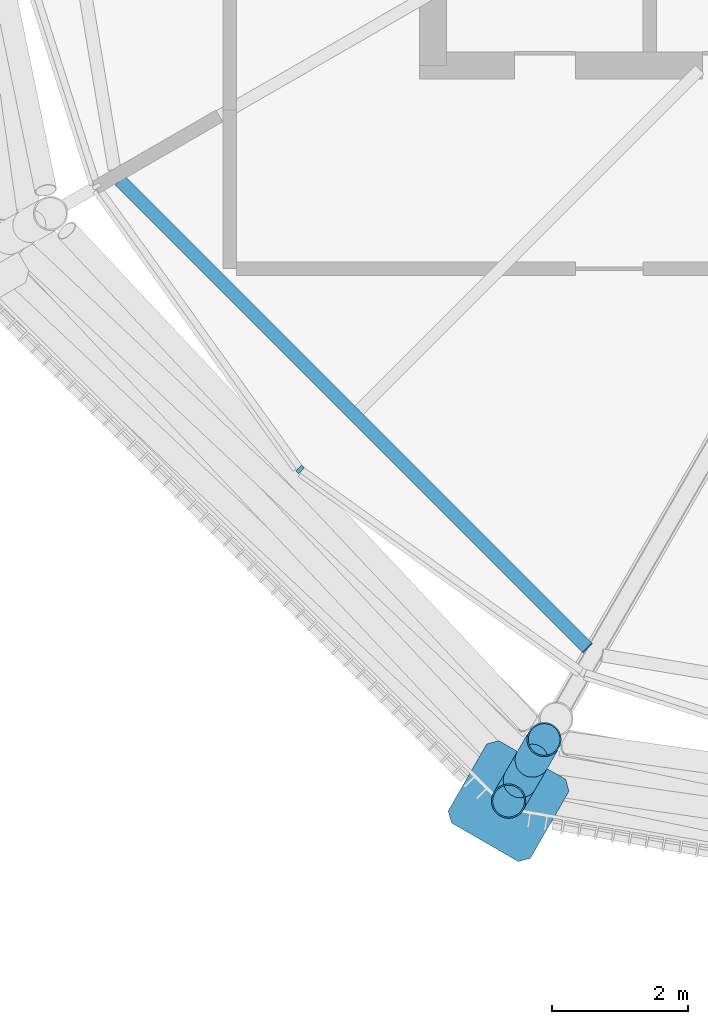
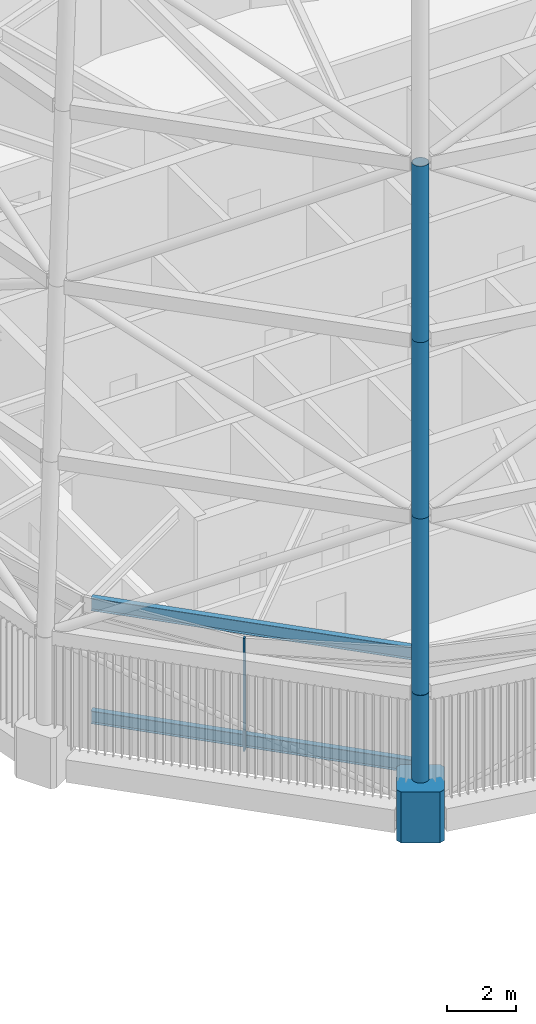
# One storey, part 36 of 71: 6 members, 2 beams, 1 element without a shape of its own.
"""IFC4 building model written with IfcOpenShell, lengths in metres."""

import ifcopenshell
import ifcopenshell.guid

model = None  # the IFC model being written
_history = None  # IfcOwnerHistory: only IFC2X3 demands one
_inside = {}  # id of a spatial element -> (the spatial element, [elements in it])
_under = {}  # id of a project, library or spatial element -> (it, [spatial elements below it])
_declared = {}  # id of a project -> (the project, [libraries it declares])
_typed = {}  # id of a type object -> (the type object, [elements of that type])
_made_of = {}  # id of a material, layer set ... -> (it, [elements and type objects made of it])


def new_model(schema):
    """Start an empty IFC model of exactly this schema.

    Asked for "IFC4X3", IfcOpenShell would pick the latest addendum, in which some entities
    have other attributes; the version numbers below select the first issue.
    IFC2X3 requires an IfcOwnerHistory on every rooted entity: one is made here for all.
    """
    global model, _history
    if schema == "IFC4X3":
        model = ifcopenshell.file(schema_version=(4, 3, 0, 0))
    else:
        model = ifcopenshell.file(schema=schema)
    _inside.clear()
    _under.clear()
    _declared.clear()
    _typed.clear()
    _made_of.clear()
    _history = None
    if model.schema == "IFC2X3":
        org = make("IfcOrganization", Name="unknown")
        user = make(
            "IfcPersonAndOrganization",
            ThePerson=make("IfcPerson", FamilyName="unknown"),
            TheOrganization=org,
        )
        app = make(
            "IfcApplication",
            ApplicationDeveloper=org,
            Version="unknown",
            ApplicationFullName="unknown",
            ApplicationIdentifier="unknown",
        )
        _history = make(
            "IfcOwnerHistory",
            OwningUser=user,
            OwningApplication=app,
            ChangeAction="ADDED",
            CreationDate=0,
        )
    return model


def make(cls, **values):
    """One entity of the class cls with the attributes given. An attribute that is None is left unset."""
    return model.create_entity(
        cls, **{name: value for name, value in values.items() if value is not None}
    )


def rooted(cls, **values):
    """An entity with a GlobalId (a new one), such as an element, a storey or a relation."""
    return make(cls, GlobalId=ifcopenshell.guid.new(), OwnerHistory=_history, **values)


def si_unit(unit_type, name, prefix=None):
    """IfcSIUnit, for example si_unit("LENGTHUNIT", "METRE", prefix="MILLI")."""
    return make("IfcSIUnit", UnitType=unit_type, Prefix=prefix, Name=name)


def assignment(units):
    """IfcUnitAssignment: the units of a project."""
    return None if units is None else make("IfcUnitAssignment", Units=units)


def point(xyz):
    """IfcCartesianPoint."""
    return None if xyz is None else make("IfcCartesianPoint", Coordinates=xyz)


def direction(xyz):
    """IfcDirection."""
    return None if xyz is None else make("IfcDirection", DirectionRatios=xyz)


def frame(location, z_axis=None, x_axis=None):
    """IfcAxis2Placement3D, a coordinate frame: its origin and axes. An axis left out is left unset."""
    return make(
        "IfcAxis2Placement3D",
        Location=point(location),
        Axis=direction(z_axis),
        RefDirection=direction(x_axis),
    )


def frame_2d(location, x_axis=None):
    """IfcAxis2Placement2D, a coordinate frame in the plane: its origin and x axis."""
    return make(
        "IfcAxis2Placement2D", Location=point(location), RefDirection=direction(x_axis)
    )


def origin():
    """The frame at (0, 0, 0) with its axes left unset."""
    return frame((0.0, 0.0, 0.0))


def origin_2d():
    """The frame at (0, 0) in the plane with its x axis left unset."""
    return frame_2d((0.0, 0.0))


def place(relative_to, where):
    """IfcLocalPlacement: puts the frame where relative to a parent placement (None: the world)."""
    return make(
        "IfcLocalPlacement", PlacementRelTo=relative_to, RelativePlacement=where
    )


def context(
    kind, dimensions, precision=None, world=None, true_north=None, identifier=None
):
    """IfcGeometricRepresentationContext, for example the 3D "Model" context."""
    return make(
        "IfcGeometricRepresentationContext",
        ContextIdentifier=identifier,
        ContextType=kind,
        CoordinateSpaceDimension=dimensions,
        Precision=precision,
        WorldCoordinateSystem=world,
        TrueNorth=true_north,
    )


def subcontext(parent, identifier, kind, view, scale=None):
    """IfcGeometricRepresentationSubContext, for example "Body" below "Model"."""
    return make(
        "IfcGeometricRepresentationSubContext",
        ContextIdentifier=identifier,
        ContextType=kind,
        ParentContext=parent,
        TargetScale=scale,
        TargetView=view,
    )


def project(units=None, contexts=None):
    """IfcProject with its units and contexts."""
    return rooted(
        "IfcProject",
        Name="project",
        RepresentationContexts=contexts,
        UnitsInContext=assignment(units),
    )


def spatial(cls, under=None, at=None, **own):
    """A site, building, storey or space (cls), placed at a placement, below another one or the project."""
    s = rooted(cls, ObjectPlacement=at, **own)
    if under is not None:
        _under.setdefault(under.id(), (under, []))[1].append(s)
    return s


def polyline(points):
    """IfcPolyline through the points."""
    return make("IfcPolyline", Points=[point(p) for p in points])


def profile(cls, at=None, kind="AREA", **sizes):
    """A parametric profile (cls). Its sizes go by their IFC names, for example OverallWidth=200.0."""
    return make(cls, ProfileType=kind, Position=at, **sizes)


def rectangle(**sizes):
    """IfcRectangleProfileDef."""
    return profile("IfcRectangleProfileDef", **sizes)


def hollow_circle(**sizes):
    """IfcCircleHollowProfileDef."""
    return profile("IfcCircleHollowProfileDef", **sizes)


def i_section(**sizes):
    """IfcIShapeProfileDef."""
    return profile("IfcIShapeProfileDef", **sizes)


def outline(outer, holes=None, kind="AREA"):
    """IfcArbitraryClosedProfileDef: a profile drawn as a closed curve; with holes, ...WithVoids."""
    if holes is None:
        return make("IfcArbitraryClosedProfileDef", ProfileType=kind, OuterCurve=outer)
    return make(
        "IfcArbitraryProfileDefWithVoids",
        ProfileType=kind,
        OuterCurve=outer,
        InnerCurves=holes,
    )


def extrude(swept, where, along, depth):
    """IfcExtrudedAreaSolid: the profile swept, set in the frame where, extruded along a direction by depth."""
    return make(
        "IfcExtrudedAreaSolid",
        SweptArea=swept,
        Position=where,
        ExtrudedDirection=direction(along),
        Depth=depth,
    )


def shape(context_of_items, identifier, shape_type, items):
    """IfcShapeRepresentation: the items that make up one representation, for example the "Body"."""
    return make(
        "IfcShapeRepresentation",
        ContextOfItems=context_of_items,
        RepresentationIdentifier=identifier,
        RepresentationType=shape_type,
        Items=items,
    )


def material(Name=None, Category=None):
    """IfcMaterial."""
    return make("IfcMaterial", Name=Name, Category=Category)


def material_profile(
    of_material, cross_section, Name=None, Category=None, Priority=None
):
    """IfcMaterialProfile: a cross section and its material."""
    return make(
        "IfcMaterialProfile",
        Name=Name,
        Material=of_material,
        Profile=cross_section,
        Priority=Priority,
        Category=Category,
    )


def profile_set(profiles, Name=None, composite=None):
    """IfcMaterialProfileSet."""
    return make(
        "IfcMaterialProfileSet",
        Name=Name,
        MaterialProfiles=profiles,
        CompositeProfile=composite,
    )


def made_of(thing, what):
    """Note that an element or type object is made of a material, layer set ...; save() writes the relation."""
    if what is not None:
        _made_of.setdefault(what.id(), (what, []))[1].append(thing)
    return thing


def type_object(cls, material=None, **own):
    """A type object (cls), such as IfcWallType, which elements share."""
    return made_of(rooted(cls, **own), material)


def element(
    cls,
    number,
    at=None,
    inside=None,
    cuts=None,
    type_object=None,
    material=None,
    context=None,
    identifier="Body",
    shape_type=None,
    held_by="IfcProductDefinitionShape",
    body=None,
    shapes=None,
    **own,
):
    """One element of the class cls, such as IfcWall. Its Tag is "e" and its number.

    at: its placement. inside: the storey or other place that contains it. cuts: it is an
    opening in that element (IfcRelVoidsElement). A single representation is given by context,
    identifier, shape_type and body (its items); several are given by shapes. held_by: the class
    of the entity that holds the representations. save() writes the other relations.
    """
    e = rooted(cls, Tag="e%d" % number, ObjectPlacement=at, **own)
    if body is not None:
        shapes = [shape(context, identifier, shape_type, body)]
    if shapes is not None:
        e.Representation = make(held_by, Representations=shapes)
    if inside is not None:
        _inside.setdefault(inside.id(), (inside, []))[1].append(e)
    if cuts is not None:
        rooted(
            "IfcRelVoidsElement", RelatingBuildingElement=cuts, RelatedOpeningElement=e
        )
    if type_object is not None:
        _typed.setdefault(type_object.id(), (type_object, []))[1].append(e)
    return made_of(e, material)


def aggregate(whole, parts):
    """IfcRelAggregates: a whole, such as a stair, and the parts it consists of."""
    return rooted("IfcRelAggregates", RelatingObject=whole, RelatedObjects=parts)


def save(model, path):
    """Write the relations noted so far, then the file.

    IfcRelAggregates (storeys below a building ...), IfcRelContainedInSpatialStructure (elements
    in a storey), IfcRelDefinesByType, IfcRelAssociatesMaterial and IfcRelDeclares: one each for
    every whole, place, type object, material and project.
    """
    for whole, parts in _under.values():
        aggregate(whole, parts)
    for where, things in _inside.values():
        rooted(
            "IfcRelContainedInSpatialStructure",
            RelatedElements=things,
            RelatingStructure=where,
        )
    for kind, things in _typed.values():
        rooted("IfcRelDefinesByType", RelatedObjects=things, RelatingType=kind)
    for what, things in _made_of.values():
        rooted("IfcRelAssociatesMaterial", RelatedObjects=things, RelatingMaterial=what)
    for by, libraries in _declared.values():
        rooted("IfcRelDeclares", RelatingContext=by, RelatedDefinitions=libraries)
    model.write(path)


model = new_model("IFC4")

# Units and contexts
model_context = context("Model", 3, precision=1e-05, world=origin(), true_north=direction((0.0, 1.0)))
body_context = subcontext(model_context, "Body", "Model", "MODEL_VIEW")
ifc_project = project(units=[si_unit("LENGTHUNIT", "METRE"), si_unit("AREAUNIT", "SQUARE_METRE"), si_unit("VOLUMEUNIT", "CUBIC_METRE"), si_unit("PLANEANGLEUNIT", "RADIAN"), si_unit("MASSUNIT", "GRAM", prefix="KILO")], contexts=[model_context])

# Site, building, storey
site_placement = place(None, origin())
site = spatial("IfcSite", under=ifc_project, at=site_placement, CompositionType="ELEMENT")
building_placement = place(site_placement, origin())
building = spatial("IfcBuilding", under=site, at=building_placement, Name="Rimbun Link Towers", CompositionType="ELEMENT")
storey_placement = place(building_placement, frame((0.0, 0.0, 267.60009765625)))
storey = spatial("IfcBuildingStorey", under=building, at=storey_placement, Name="L65", CompositionType="ELEMENT", Elevation=267.60009765625)

# Curtain wall, member
ifc_material_1 = material(Name="Aluminium 6063-T6 louvre wall", Category="aluminium")
curtain_wall_type = type_object("IfcCurtainWallType", Name="CW6 plant floor louvre wall", PredefinedType="NOTDEFINED", material=ifc_material_1)
curtain_wall_placement = place(storey_placement, origin())
curtain_wall = element("IfcCurtainWall", 1, at=curtain_wall_placement, inside=storey, type_object=curtain_wall_type, Name="CW6 L65 T2", PredefinedType="NOTDEFINED")
ifc_material_2 = material(Name="Aluminium 6063-T6", Category="aluminium")
ifc_material_profile_1 = material_profile(ifc_material_2, rectangle(XDim=0.1201171875, YDim=0.06005859375, at=origin_2d()), Name="MULLION 60X120")
ifc_profile_set_1 = profile_set([ifc_material_profile_1], Name="Aluminium 6063-T6")
member_type_1 = type_object("IfcMemberType", Name="CW6 mullion 60X120", PredefinedType="MULLION", material=ifc_profile_set_1)
member_1_placement = place(storey_placement, frame((17.78857421875, -13.96142578125, 0.0), z_axis=(0.0, 0.0, 1.0), x_axis=(-0.707106781187, -0.707106781187, 0.0)))
member_1 = element("IfcMember", 2, at=member_1_placement, type_object=member_type_1, Name="CW6 mullion", PredefinedType="MULLION", context=body_context, shape_type="SweptSolid", body=[
    extrude(rectangle(XDim=0.1201171875, YDim=0.06005859375, at=origin_2d()), origin(), (0.0, 0.0, 1.0), 4.0),
])
aggregate(curtain_wall, [member_1])

# Members
ifc_material_3 = material(Name="Steel S355J2H", Category="steel")
ifc_material_profile_2 = material_profile(ifc_material_3, hollow_circle(Radius=0.25390625, WallThickness=0.02001953125, at=origin_2d()), Name="Crown frame post CHS 508x20")
ifc_profile_set_2 = profile_set([ifc_material_profile_2], Name="Steel S355J2H")
member_type_2 = type_object("IfcMemberType", Name="Crown frame post CHS 508x20", PredefinedType="POST", material=ifc_profile_set_2)
member_2_placement = place(storey_placement, frame((20.865478515625, -18.852294921875, 0.0), z_axis=(0.0, 0.0, 1.0), x_axis=(1.0, 0.0, 0.0)))
element("IfcMember", 3, at=member_2_placement, inside=storey, type_object=member_type_2, Name="CROWN FRAME post T2 1-06", PredefinedType="POST", context=body_context, shape_type="SweptSolid", body=[
    extrude(hollow_circle(Radius=0.25390625, WallThickness=0.02001953125, at=origin_2d()), origin(), (0.0, 0.0, 1.0), 4.0),
])
for number, where, z_axis, x_axis, name in (
    (4, (20.865478515625, -18.852294921875, 4.0), (0.029125318286, 0.050410767075, 0.998303796646), (-0.865871789474, 0.500265973451, 0.0), "CROWN FRAME post T2 2-06"),
    (5, (21.04052734375, -18.54931640625, 10.0), (0.029125258621, 0.050451284808, 0.998301751562), (-0.866046247233, 0.49996389635, 0.0), "CROWN FRAME post T2 3-06"),
    (6, (21.215576171875, -18.24609375, 16.0), (0.029125318286, 0.050410767075, 0.998303796646), (-0.865871789474, 0.500265973451, 0.0), "CROWN FRAME post T2 4-06"),
):
    element("IfcMember", number, at=place(storey_placement, frame(where, z_axis=z_axis, x_axis=x_axis)), inside=storey, type_object=member_type_2, Name=name, PredefinedType="POST", context=body_context, shape_type="SweptSolid", body=[
        extrude(hollow_circle(Radius=0.25390625, WallThickness=0.02001953125, at=origin_2d()), origin(), (0.0, 0.0, 1.0), 6.01025390625),
    ])
ifc_material_4 = material(Name="Cast steel G20Mn5+QT, Rp0.2 300 MPa", Category="steel")
ifc_material_profile_3 = material_profile(ifc_material_4, outline(polyline([(0.699951171875, -0.570068359375), (0.699951171875, 0.570068359375), (0.570068359375, 0.699951171875), (-0.570068359375, 0.699951171875), (-0.699951171875, 0.570068359375), (-0.699951171875, -0.570068359375), (-0.570068359375, -0.699951171875), (0.570068359375, -0.699951171875), (0.699951171875, -0.570068359375)])), Name="NODE 1400x1400")
ifc_profile_set_3 = profile_set([ifc_material_profile_3], Name="Cast steel G20Mn5+QT, Rp0.2 300 MPa")
member_type_3 = type_object("IfcMemberType", Name="Diagrid node cast 1400", PredefinedType="USERDEFINED", material=ifc_profile_set_3)
member_3_placement = place(storey_placement, frame((20.865478515625, -18.852294921875, -0.900146484375), z_axis=(0.0, 0.0, 1.0), x_axis=(-0.5, -0.866025403784, 0.0)))
element("IfcMember", 7, at=member_3_placement, inside=storey, type_object=member_type_3, Name="Diagrid node L65 13", ObjectType="Diagrid node", PredefinedType="USERDEFINED", context=body_context, shape_type="SweptSolid", body=[
    extrude(outline(polyline([(0.699951171875, -0.570068359375), (0.699951171875, 0.570068359375), (0.570068359375, 0.699951171875), (-0.570068359375, 0.699951171875), (-0.699951171875, 0.570068359375), (-0.699951171875, -0.570068359375), (-0.570068359375, -0.699951171875), (0.570068359375, -0.699951171875), (0.699951171875, -0.570068359375)])), origin(), (0.0, 0.0, 1.0), 1.800048828125),
])

# Beams
ifc_material_5 = material(Name="Steel S355J2", Category="steel")
ifc_material_profile_4 = material_profile(ifc_material_5, i_section(OverallWidth=0.18994140625, OverallDepth=0.453369140625, WebThickness=0.008544921875, FlangeThickness=0.0126953125, at=origin_2d()), Name="UB 457x191x67")
ifc_profile_set_4 = profile_set([ifc_material_profile_4], Name="Steel S355J2")
beam_type = type_object("IfcBeamType", Name="UB 457x191x67", PredefinedType="BEAM", material=ifc_profile_set_4)
beam_1_placement = place(storey_placement, frame((15.1337890625, -9.697265625, -0.4267578125), z_axis=(0.707094272775, -0.707119289377, 0.0), x_axis=(0.707119289377, 0.707094272775, 0.0)))
element("IfcBeam", 8, at=beam_1_placement, inside=storey, type_object=beam_type, Name="Edge beam T2 L65 11-13", PredefinedType="BEAM", context=body_context, shape_type="SweptSolid", body=[
    extrude(i_section(OverallWidth=0.18994140625, OverallDepth=0.453369140625, WebThickness=0.008544921875, FlangeThickness=0.0126953125, at=origin_2d()), origin(), (0.0, 0.0, 1.0), 9.759033203125),
])
beam_2_placement = place(storey_placement, frame((15.1337890625, -9.697265625, 3.5732421875), z_axis=(0.707094255492, -0.707119306659, 0.0), x_axis=(0.707119306659, 0.707094255492, 0.0)))
element("IfcBeam", 9, at=beam_2_placement, inside=storey, type_object=beam_type, Name="Edge beam T2 L65 11-13", PredefinedType="BEAM", context=body_context, shape_type="SweptSolid", body=[
    extrude(i_section(OverallWidth=0.18994140625, OverallDepth=0.453369140625, WebThickness=0.008544921875, FlangeThickness=0.0126953125, at=origin_2d()), origin(), (0.0, 0.0, 1.0), 9.74560546875),
])

save(model, "model.ifc")
